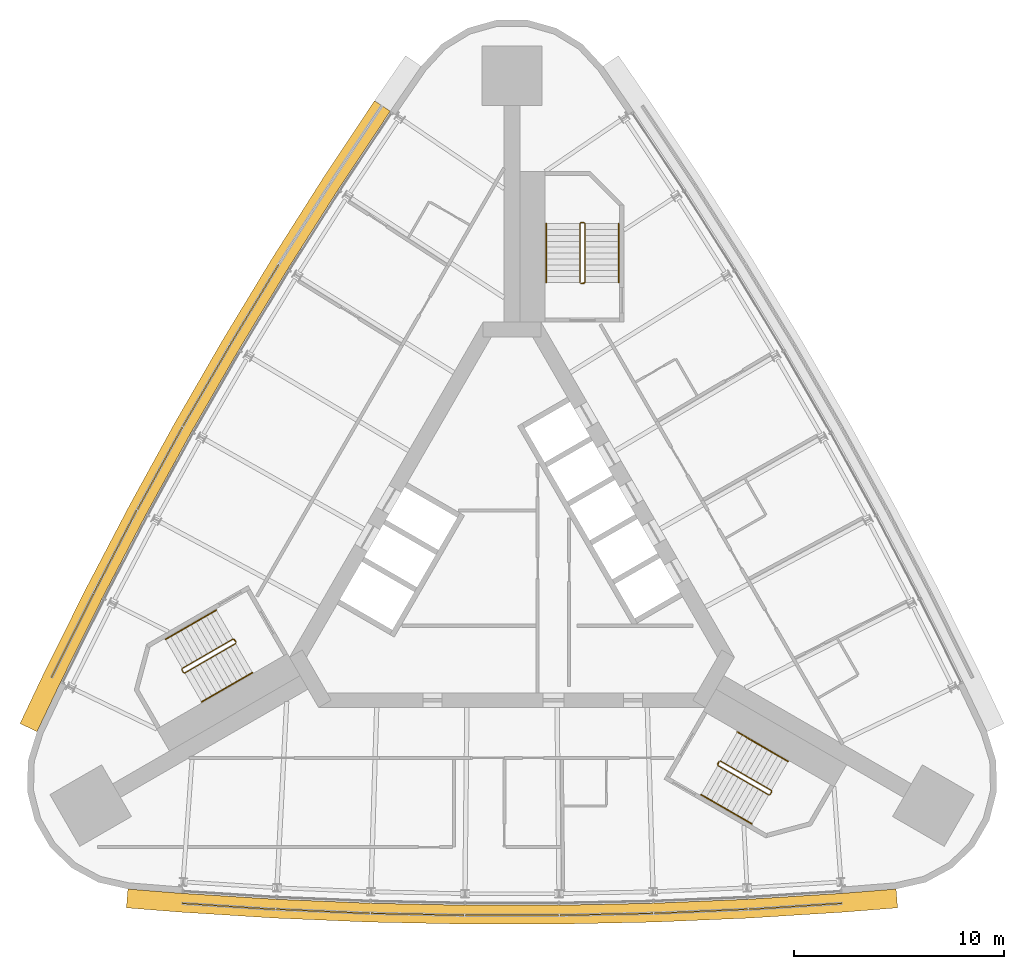
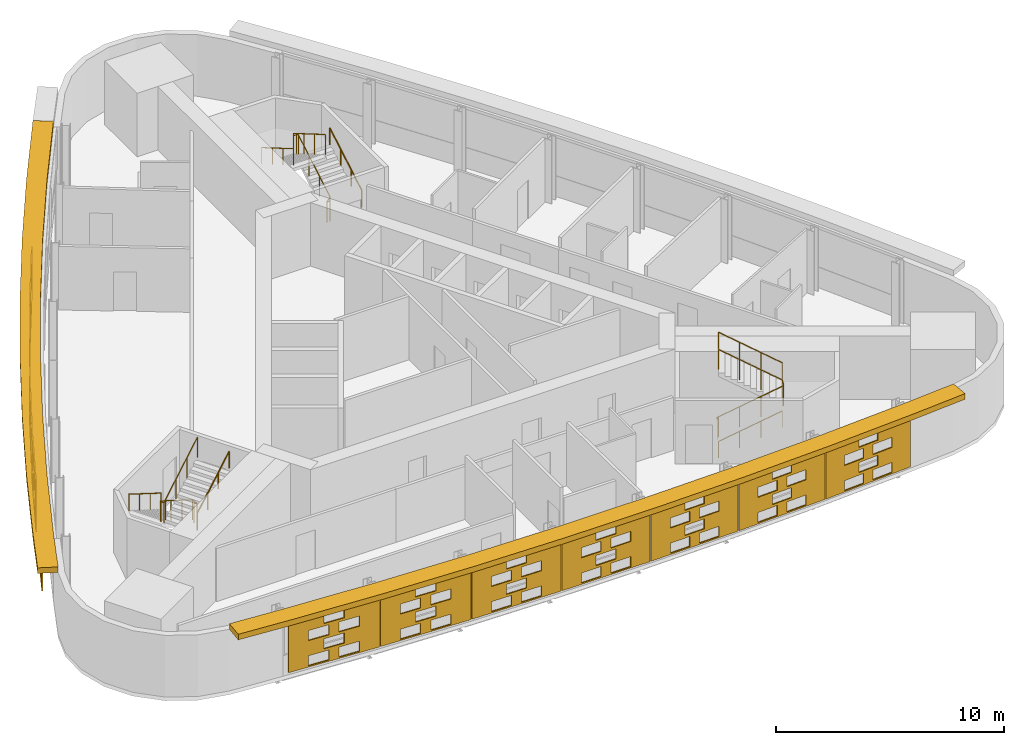
# One storey, part 11 of 12: 14 shading devices, 9 railings.
"""IFC4 building model written with IfcOpenShell, lengths in metres."""

from ifc_helpers import new_model, si_unit, direction, frame, origin, origin_2d, place, context, subcontext, project, spatial, polyline, circle, outline, extrude, material, material_profile, profile_set, type_object, element, save


model = new_model("IFC4")

# Units and contexts
model_context = context("Model", 3, precision=1e-05, world=origin(), true_north=direction((0.0, 1.0)))
body_context = subcontext(model_context, "Body", "Model", "MODEL_VIEW")
ifc_project = project(units=[si_unit("LENGTHUNIT", "METRE"), si_unit("AREAUNIT", "SQUARE_METRE"), si_unit("VOLUMEUNIT", "CUBIC_METRE"), si_unit("PLANEANGLEUNIT", "RADIAN"), si_unit("MASSUNIT", "GRAM", prefix="KILO")], contexts=[model_context])

# Site, building, storey
site_placement = place(None, origin())
site = spatial("IfcSite", under=ifc_project, at=site_placement, CompositionType="ELEMENT")
building_placement = place(site_placement, origin())
building = spatial("IfcBuilding", under=site, at=building_placement, Name="Noor Cloister Tower", CompositionType="ELEMENT")
storey_placement = place(building_placement, frame((0.0, 0.0, 161.699951171875)))
storey = spatial("IfcBuildingStorey", under=building, at=storey_placement, Name="L41", CompositionType="ELEMENT", Elevation=161.699951171875)

# Shading devices
ifc_material_1 = material(Name="Limestone", Category="masonry")
ifc_material_profile = material_profile(ifc_material_1, outline(polyline([(-2.22998046875, -1.35009765625), (2.22998046875, -1.35009765625), (2.22998046875, 1.35009765625), (-2.22998046875, 1.35009765625), (-2.22998046875, -1.35009765625)]), holes=[polyline([(-1.25, -1.282470703125), (-0.25, -1.282470703125), (-0.25, -0.742431640625), (-1.25, -0.742431640625), (-1.25, -1.282470703125)]), polyline([(0.25, -1.282470703125), (1.25, -1.282470703125), (1.25, -0.742431640625), (0.25, -0.742431640625), (0.25, -1.282470703125)]), polyline([(-0.5, -0.607421875), (0.5, -0.607421875), (0.5, -0.0673828125), (-0.5, -0.0673828125), (-0.5, -0.607421875)]), polyline([(-1.25, 0.0673828125), (-0.25, 0.0673828125), (-0.25, 0.607421875), (-1.25, 0.607421875), (-1.25, 0.0673828125)]), polyline([(0.25, 0.0673828125), (1.25, 0.0673828125), (1.25, 0.607421875), (0.25, 0.607421875), (0.25, 0.0673828125)]), polyline([(-0.5, 0.742431640625), (0.5, 0.742431640625), (0.5, 1.282470703125), (-0.5, 1.282470703125), (-0.5, 0.742431640625)])]), Name="Woven screen 30 percent open")
ifc_profile_set = profile_set([ifc_material_profile], Name="Limestone")
shading_device_type_1 = type_object("IfcShadingDeviceType", Name="SCREEN woven limestone 30 percent open", PredefinedType="USERDEFINED", material=ifc_profile_set)
for number, where, z_axis, x_axis, name in (
    (1, (-12.261474609375, 12.28564453125, 1.85009765625), (-0.855690023312, 0.517488728384, 0.0), (-0.517488728384, -0.855690023312, 0.0), "SCREEN L41 3"),
    (2, (-14.556884765625, 8.404296875, 1.85009765625), (-0.86496035152, 0.501840203948, 0.0), (-0.501840203948, -0.86496035152, 0.0), "SCREEN L41 4"),
):
    element("IfcShadingDevice", number, at=place(storey_placement, frame(where, z_axis=z_axis, x_axis=x_axis)), inside=storey, type_object=shading_device_type_1, Name=name, ObjectType="SCREEN", PredefinedType="USERDEFINED", context=body_context, shape_type="SweptSolid", body=[
        extrude(outline(polyline([(-2.22998046875, -1.35009765625), (2.22998046875, -1.35009765625), (2.22998046875, 1.35009765625), (-2.22998046875, 1.35009765625), (-2.22998046875, -1.35009765625)]), holes=[polyline([(-1.25, -1.282470703125), (-0.25, -1.282470703125), (-0.25, -0.742431640625), (-1.25, -0.742431640625), (-1.25, -1.282470703125)]), polyline([(0.25, -1.282470703125), (1.25, -1.282470703125), (1.25, -0.742431640625), (0.25, -0.742431640625), (0.25, -1.282470703125)]), polyline([(-0.5, -0.607421875), (0.5, -0.607421875), (0.5, -0.0673828125), (-0.5, -0.0673828125), (-0.5, -0.607421875)]), polyline([(-1.25, 0.0673828125), (-0.25, 0.0673828125), (-0.25, 0.607421875), (-1.25, 0.607421875), (-1.25, 0.0673828125)]), polyline([(0.25, 0.0673828125), (1.25, 0.0673828125), (1.25, 0.607421875), (0.25, 0.607421875), (0.25, 0.0673828125)]), polyline([(-0.5, 0.742431640625), (0.5, 0.742431640625), (0.5, 1.282470703125), (-0.5, 1.282470703125), (-0.5, 0.742431640625)])]), origin(), (0.0, 0.0, 1.0), 0.059814453125),
    ])
for number, where, z_axis, x_axis, name in (
    (3, (-16.770263671875, 4.47607421875, 1.85009765625), (-0.877584848731, 0.479421352547, 0.0), (-0.479421352547, -0.877584848731, 0.0), "SCREEN L41 5"),
    (4, (-18.901123046875, 0.502197265625, 1.85009765625), (-0.887816162103, 0.460198285861, 0.0), (-0.460198285861, -0.887816162103, 0.0), "SCREEN L41 6"),
    (5, (-20.9482421875, -3.515625, 1.85009765625), (-0.894427191, 0.4472135955, 0.0), (-0.4472135955, -0.894427191, 0.0), "SCREEN L41 7"),
):
    element("IfcShadingDevice", number, at=place(storey_placement, frame(where, z_axis=z_axis, x_axis=x_axis)), inside=storey, type_object=shading_device_type_1, Name=name, ObjectType="SCREEN", PredefinedType="USERDEFINED", context=body_context, shape_type="SweptSolid", body=[
        extrude(outline(polyline([(-2.22998046875, -1.35009765625), (2.22998046875, -1.35009765625), (2.22998046875, 1.35009765625), (-2.22998046875, 1.35009765625), (-2.22998046875, -1.35009765625)]), holes=[polyline([(-1.25, -1.282470703125), (-0.25, -1.282470703125), (-0.25, -0.742431640625), (-1.25, -0.742431640625), (-1.25, -1.282470703125)]), polyline([(0.25, -1.282470703125), (1.25, -1.282470703125), (1.25, -0.742431640625), (0.25, -0.742431640625), (0.25, -1.282470703125)]), polyline([(-0.5, -0.607421875), (0.5, -0.607421875), (0.5, -0.0673828125), (-0.5, -0.0673828125), (-0.5, -0.607421875)]), polyline([(-1.25, 0.0673828125), (-0.25, 0.0673828125), (-0.25, 0.607421875), (-1.25, 0.607421875), (-1.25, 0.0673828125)]), polyline([(0.25, 0.0673828125), (1.25, 0.0673828125), (1.25, 0.607421875), (0.25, 0.607421875), (0.25, 0.0673828125)]), polyline([(-0.5, 0.742431640625), (0.5, 0.742431640625), (0.5, 1.282470703125), (-0.5, 1.282470703125), (-0.5, 0.742431640625)])]), origin(), (0.0, 0.0, 1.0), 0.06005859375),
    ])
shading_device_1_placement = place(storey_placement, frame((-13.5185546875, -16.3837890625, 1.85009765625), z_axis=(-0.064903515062, -0.997891544073, 0.0), x_axis=(0.997891544073, -0.064903515062, 0.0)))
element("IfcShadingDevice", 6, at=shading_device_1_placement, inside=storey, type_object=shading_device_type_1, Name="SCREEN L41 1", ObjectType="SCREEN", PredefinedType="USERDEFINED", context=body_context, shape_type="SweptSolid", body=[
    extrude(outline(polyline([(-2.22998046875, -1.35009765625), (2.22998046875, -1.35009765625), (2.22998046875, 1.35009765625), (-2.22998046875, 1.35009765625), (-2.22998046875, -1.35009765625)]), holes=[polyline([(-1.25, -1.282470703125), (-0.25, -1.282470703125), (-0.25, -0.742431640625), (-1.25, -0.742431640625), (-1.25, -1.282470703125)]), polyline([(0.25, -1.282470703125), (1.25, -1.282470703125), (1.25, -0.742431640625), (0.25, -0.742431640625), (0.25, -1.282470703125)]), polyline([(-0.5, -0.607421875), (0.5, -0.607421875), (0.5, -0.0673828125), (-0.5, -0.0673828125), (-0.5, -0.607421875)]), polyline([(-1.25, 0.0673828125), (-0.25, 0.0673828125), (-0.25, 0.607421875), (-1.25, 0.607421875), (-1.25, 0.0673828125)]), polyline([(0.25, 0.0673828125), (1.25, 0.0673828125), (1.25, 0.607421875), (0.25, 0.607421875), (0.25, 0.0673828125)]), polyline([(-0.5, 0.742431640625), (0.5, 0.742431640625), (0.5, 1.282470703125), (-0.5, 1.282470703125), (-0.5, 0.742431640625)])]), origin(), (0.0, 0.0, 1.0), 0.060302734375),
])
for number, where, z_axis, x_axis, name in (
    (7, (-9.015625, -16.619873046875, 1.85009765625), (-0.044670810456, -0.999001761106, 0.0), (0.999001761106, -0.044670810456, 0.0), "SCREEN L41 2"),
    (8, (-4.5087890625, -16.761474609375, 1.85009765625), (-0.020321006241, -0.999793507033, 0.0), (0.999793507033, -0.020321006241, 0.0), "SCREEN L41 3"),
):
    element("IfcShadingDevice", number, at=place(storey_placement, frame(where, z_axis=z_axis, x_axis=x_axis)), inside=storey, type_object=shading_device_type_1, Name=name, ObjectType="SCREEN", PredefinedType="USERDEFINED", context=body_context, shape_type="SweptSolid", body=[
        extrude(outline(polyline([(-2.22998046875, -1.35009765625), (2.22998046875, -1.35009765625), (2.22998046875, 1.35009765625), (-2.22998046875, 1.35009765625), (-2.22998046875, -1.35009765625)]), holes=[polyline([(-1.25, -1.282470703125), (-0.25, -1.282470703125), (-0.25, -0.742431640625), (-1.25, -0.742431640625), (-1.25, -1.282470703125)]), polyline([(0.25, -1.282470703125), (1.25, -1.282470703125), (1.25, -0.742431640625), (0.25, -0.742431640625), (0.25, -1.282470703125)]), polyline([(-0.5, -0.607421875), (0.5, -0.607421875), (0.5, -0.0673828125), (-0.5, -0.0673828125), (-0.5, -0.607421875)]), polyline([(-1.25, 0.0673828125), (-0.25, 0.0673828125), (-0.25, 0.607421875), (-1.25, 0.607421875), (-1.25, 0.0673828125)]), polyline([(0.25, 0.0673828125), (1.25, 0.0673828125), (1.25, 0.607421875), (0.25, 0.607421875), (0.25, 0.0673828125)]), polyline([(-0.5, 0.742431640625), (0.5, 0.742431640625), (0.5, 1.282470703125), (-0.5, 1.282470703125), (-0.5, 0.742431640625)])]), origin(), (0.0, 0.0, 1.0), 0.06005859375),
    ])
shading_device_2_placement = place(storey_placement, frame((0.0, -16.808837890625, 1.85009765625), z_axis=(0.0, -1.0, 0.0), x_axis=(1.0, 0.0, 0.0)))
element("IfcShadingDevice", 9, at=shading_device_2_placement, inside=storey, type_object=shading_device_type_1, Name="SCREEN L41 4", ObjectType="SCREEN", PredefinedType="USERDEFINED", context=body_context, shape_type="SweptSolid", body=[
    extrude(outline(polyline([(-2.22998046875, -1.35009765625), (2.22998046875, -1.35009765625), (2.22998046875, 1.35009765625), (-2.22998046875, 1.35009765625), (-2.22998046875, -1.35009765625)]), holes=[polyline([(-1.25, -1.282470703125), (-0.25, -1.282470703125), (-0.25, -0.742431640625), (-1.25, -0.742431640625), (-1.25, -1.282470703125)]), polyline([(0.25, -1.282470703125), (1.25, -1.282470703125), (1.25, -0.742431640625), (0.25, -0.742431640625), (0.25, -1.282470703125)]), polyline([(-0.5, -0.607421875), (0.5, -0.607421875), (0.5, -0.0673828125), (-0.5, -0.0673828125), (-0.5, -0.607421875)]), polyline([(-1.25, 0.0673828125), (-0.25, 0.0673828125), (-0.25, 0.607421875), (-1.25, 0.607421875), (-1.25, 0.0673828125)]), polyline([(0.25, 0.0673828125), (1.25, 0.0673828125), (1.25, 0.607421875), (0.25, 0.607421875), (0.25, 0.0673828125)]), polyline([(-0.5, 0.742431640625), (0.5, 0.742431640625), (0.5, 1.282470703125), (-0.5, 1.282470703125), (-0.5, 0.742431640625)])]), origin(), (0.0, 0.0, 1.0), 0.059814453125),
])
for number, where, z_axis, x_axis, name in (
    (10, (4.5087890625, -16.761474609375, 1.85009765625), (0.020321006241, -0.999793507033, 0.0), (0.999793507033, 0.020321006241, 0.0), "SCREEN L41 5"),
    (11, (9.015625, -16.619873046875, 1.85009765625), (0.044670810456, -0.999001761106, 0.0), (0.999001761106, 0.044670810456, 0.0), "SCREEN L41 6"),
):
    element("IfcShadingDevice", number, at=place(storey_placement, frame(where, z_axis=z_axis, x_axis=x_axis)), inside=storey, type_object=shading_device_type_1, Name=name, ObjectType="SCREEN", PredefinedType="USERDEFINED", context=body_context, shape_type="SweptSolid", body=[
        extrude(outline(polyline([(-2.22998046875, -1.35009765625), (2.22998046875, -1.35009765625), (2.22998046875, 1.35009765625), (-2.22998046875, 1.35009765625), (-2.22998046875, -1.35009765625)]), holes=[polyline([(-1.25, -1.282470703125), (-0.25, -1.282470703125), (-0.25, -0.742431640625), (-1.25, -0.742431640625), (-1.25, -1.282470703125)]), polyline([(0.25, -1.282470703125), (1.25, -1.282470703125), (1.25, -0.742431640625), (0.25, -0.742431640625), (0.25, -1.282470703125)]), polyline([(-0.5, -0.607421875), (0.5, -0.607421875), (0.5, -0.0673828125), (-0.5, -0.0673828125), (-0.5, -0.607421875)]), polyline([(-1.25, 0.0673828125), (-0.25, 0.0673828125), (-0.25, 0.607421875), (-1.25, 0.607421875), (-1.25, 0.0673828125)]), polyline([(0.25, 0.0673828125), (1.25, 0.0673828125), (1.25, 0.607421875), (0.25, 0.607421875), (0.25, 0.0673828125)]), polyline([(-0.5, 0.742431640625), (0.5, 0.742431640625), (0.5, 1.282470703125), (-0.5, 1.282470703125), (-0.5, 0.742431640625)])]), origin(), (0.0, 0.0, 1.0), 0.06005859375),
    ])
shading_device_3_placement = place(storey_placement, frame((13.5185546875, -16.3837890625, 1.85009765625), z_axis=(0.064903515062, -0.997891544073, 0.0), x_axis=(0.997891544073, 0.064903515062, 0.0)))
element("IfcShadingDevice", 12, at=shading_device_3_placement, inside=storey, type_object=shading_device_type_1, Name="SCREEN L41 7", ObjectType="SCREEN", PredefinedType="USERDEFINED", context=body_context, shape_type="SweptSolid", body=[
    extrude(outline(polyline([(-2.22998046875, -1.35009765625), (2.22998046875, -1.35009765625), (2.22998046875, 1.35009765625), (-2.22998046875, 1.35009765625), (-2.22998046875, -1.35009765625)]), holes=[polyline([(-1.25, -1.282470703125), (-0.25, -1.282470703125), (-0.25, -0.742431640625), (-1.25, -0.742431640625), (-1.25, -1.282470703125)]), polyline([(0.25, -1.282470703125), (1.25, -1.282470703125), (1.25, -0.742431640625), (0.25, -0.742431640625), (0.25, -1.282470703125)]), polyline([(-0.5, -0.607421875), (0.5, -0.607421875), (0.5, -0.0673828125), (-0.5, -0.0673828125), (-0.5, -0.607421875)]), polyline([(-1.25, 0.0673828125), (-0.25, 0.0673828125), (-0.25, 0.607421875), (-1.25, 0.607421875), (-1.25, 0.0673828125)]), polyline([(0.25, 0.0673828125), (1.25, 0.0673828125), (1.25, 0.607421875), (0.25, 0.607421875), (0.25, 0.0673828125)]), polyline([(-0.5, 0.742431640625), (0.5, 0.742431640625), (0.5, 1.282470703125), (-0.5, 1.282470703125), (-0.5, 0.742431640625)])]), origin(), (0.0, 0.0, 1.0), 0.060302734375),
])
ifc_material_2 = material(Name="Limestone", Category="masonry")
shading_device_type_2 = type_object("IfcShadingDeviceType", Name="SUNSHADE limestone band 900", PredefinedType="USERDEFINED", material=ifc_material_2)
shading_device_4_placement = place(storey_placement, frame((0.0, 0.0, 3.300048828125)))
element("IfcShadingDevice", 13, at=shading_device_4_placement, inside=storey, type_object=shading_device_type_2, Name="SUNSHADE L41 1", ObjectType="SUNSHADE", PredefinedType="USERDEFINED", context=body_context, shape_type="SweptSolid", body=[
    extrude(outline(polyline([(-6.559326171875, 22.0224609375), (-9.0546875, 18.2666015625), (-11.47607421875, 14.451171875), (-13.81689453125, 10.5859375), (-16.076171875, 6.672607421875), (-18.253173828125, 2.712890625), (-20.3466796875, -1.291748046875), (-22.35498046875, -5.33740234375), (-23.47509765625, -7.69091796875), (-22.66259765625, -8.077880859375), (-21.54541015625, -5.73095703125), (-19.544677734375, -1.7001953125), (-17.4599609375, 2.28759765625), (-15.2919921875, 6.23095703125), (-13.0419921875, 10.1279296875), (-10.7109375, 13.97705078125), (-8.2998046875, 17.7763671875), (-5.8095703125, 21.5244140625), (-6.559326171875, 22.0224609375)])), origin(), (0.0, 0.0, 1.0), 0.300048828125),
])
shading_device_5_placement = place(storey_placement, frame((0.0, 0.0, 3.300048828125)))
element("IfcShadingDevice", 14, at=shading_device_5_placement, inside=storey, type_object=shading_device_type_2, Name="SUNSHADE L41 2", ObjectType="SUNSHADE", PredefinedType="USERDEFINED", context=body_context, shape_type="SweptSolid", body=[
    extrude(outline(polyline([(-18.398193359375, -16.484619140625), (-15.7998046875, -16.691162109375), (-11.2919921875, -16.974853515625), (-6.777099609375, -17.1640625), (-2.25927734375, -17.2587890625), (2.25927734375, -17.2587890625), (6.777099609375, -17.1640625), (11.2919921875, -16.974853515625), (15.7998046875, -16.691162109375), (18.398193359375, -16.484619140625), (18.326904296875, -15.58740234375), (15.73583984375, -15.79345703125), (11.244873046875, -16.075927734375), (6.748779296875, -16.264404296875), (2.25, -16.358642578125), (-2.25, -16.358642578125), (-6.748779296875, -16.264404296875), (-11.244873046875, -16.075927734375), (-15.73583984375, -15.79345703125), (-18.326904296875, -15.58740234375), (-18.398193359375, -16.484619140625)])), origin(), (0.0, 0.0, 1.0), 0.300048828125),
])

# Railings
ifc_material_3 = material(Name="Stainless steel", Category="steel")
railing_type_1 = type_object("IfcRailingType", Name="Stair guard 1100", PredefinedType="GUARDRAIL", material=ifc_material_3)
railing_1_placement = place(storey_placement, frame((3.435546875, 13.306396484375, 0.0)))
element("IfcRailing", 15, at=railing_1_placement, inside=storey, type_object=railing_type_1, Name="Stair guard ST1 L41", PredefinedType="GUARDRAIL", context=body_context, shape_type="SweptSolid", body=[
    extrude(circle(Radius=0.02392578125, at=origin_2d()), frame((0.0, 0.0, 1.076171875), z_axis=(-1.0, 0.0, 0.0), x_axis=(0.0, -1.0, 0.0)), (0.0, 0.0, 1.0), 0.14990234375),
    extrude(circle(Radius=0.02392578125, at=origin_2d()), frame((-0.14990234375, 0.0, 1.076171875), z_axis=(0.759870394187, 0.190199549216, 0.621627795), x_axis=(-0.242814311512, 0.970072785993, 0.0)), (0.0, 0.0, 1.0), 0.26318359375),
    extrude(circle(Radius=0.02392578125, at=origin_2d()), frame((0.050048828125, 0.050048828125, 1.23974609375), z_axis=(0.0, 0.863360870873, 0.504586966384), x_axis=(-1.0, 0.0, 0.0)), (0.0, 0.0, 1.0), 3.2431640625),
    extrude(circle(Radius=0.02392578125, at=origin_2d()), frame((0.050048828125, 2.85009765625, 2.8759765625), z_axis=(-0.708833529934, 0.705375805398, 0.0), x_axis=(-0.705375805398, -0.708833529934, 0.0)), (0.0, 0.0, 1.0), 0.070556640625),
    extrude(circle(Radius=0.02392578125, at=origin_2d()), frame((0.0, 2.89990234375, 2.8759765625), z_axis=(-1.0, 0.0, 0.0), x_axis=(0.0, -1.0, 0.0)), (0.0, 0.0, 1.0), 0.14990234375),
    extrude(circle(Radius=0.02392578125, at=origin_2d()), frame((-0.14990234375, 2.89990234375, 2.8759765625), z_axis=(-0.280916556609, -0.279546231943, 0.91811752648), x_axis=(0.705375805398, -0.708833529934, 0.0)), (0.0, 0.0, 1.0), 0.17822265625),
    extrude(circle(Radius=0.02392578125, at=origin_2d()), frame((-0.199951171875, 2.85009765625, 3.03955078125), z_axis=(0.0, -0.863360870873, 0.504586966384), x_axis=(1.0, 0.0, 0.0)), (0.0, 0.0, 1.0), 3.2431640625),
    extrude(circle(Radius=0.02099609375, at=origin_2d()), origin(), (0.0, 0.0, 1.0), 1.052001953125),
    extrude(circle(Radius=0.02099609375, at=origin_2d()), frame((-0.14990234375, 0.0, 0.0)), (0.0, 0.0, 1.0), 1.052001953125),
    extrude(circle(Radius=0.02099609375, at=origin_2d()), frame((0.050048828125, 0.050048828125, 0.16357421875)), (0.0, 0.0, 1.0), 1.052001953125),
    extrude(circle(Radius=0.02099609375, at=origin_2d()), frame((0.050048828125, 0.9833984375, 0.708984375)), (0.0, 0.0, 1.0), 1.052001953125),
    extrude(circle(Radius=0.02099609375, at=origin_2d()), frame((0.050048828125, 1.916748046875, 1.254638671875)), (0.0, 0.0, 1.0), 1.052001953125),
    extrude(circle(Radius=0.02099609375, at=origin_2d()), frame((0.050048828125, 2.85009765625, 1.800048828125)), (0.0, 0.0, 1.0), 1.052001953125),
    extrude(circle(Radius=0.02099609375, at=origin_2d()), frame((0.0, 2.89990234375, 1.800048828125)), (0.0, 0.0, 1.0), 1.052001953125),
    extrude(circle(Radius=0.02099609375, at=origin_2d()), frame((-0.14990234375, 2.89990234375, 1.800048828125)), (0.0, 0.0, 1.0), 1.052001953125),
    extrude(circle(Radius=0.02099609375, at=origin_2d()), frame((-0.199951171875, 2.85009765625, 1.963623046875)), (0.0, 0.0, 1.0), 1.052001953125),
    extrude(circle(Radius=0.02099609375, at=origin_2d()), frame((-0.199951171875, 1.916748046875, 2.509033203125)), (0.0, 0.0, 1.0), 1.052001953125),
    extrude(circle(Radius=0.02099609375, at=origin_2d()), frame((-0.199951171875, 0.9833984375, 3.0546875)), (0.0, 0.0, 1.0), 1.052001953125),
    extrude(circle(Radius=0.02099609375, at=origin_2d()), frame((-0.199951171875, 0.050048828125, 3.60009765625)), (0.0, 0.0, 1.0), 1.052001953125),
])
railing_2_placement = place(storey_placement, frame((-13.241455078125, -3.677734375, 0.0)))
element("IfcRailing", 16, at=railing_2_placement, inside=storey, type_object=railing_type_1, Name="Stair guard ST2 L41", PredefinedType="GUARDRAIL", context=body_context, shape_type="SweptSolid", body=[
    extrude(circle(Radius=0.02392578125, at=origin_2d()), frame((0.0, 0.0, 1.076171875), z_axis=(0.499112439033, -0.866537231285, 0.0), x_axis=(0.866537231285, 0.499112439033, 0.0)), (0.0, 0.0, 1.0), 0.150146484375),
    extrude(circle(Radius=0.02392578125, at=origin_2d()), frame((0.074951171875, -0.130126953125, 1.076171875), z_axis=(-0.544565797804, 0.563119998752, 0.621565731736), x_axis=(-0.718850276695, -0.695164929852, 0.0)), (0.0, 0.0, 1.0), 0.26318359375),
    extrude(circle(Radius=0.02392578125, at=origin_2d()), frame((-0.068359375, 0.01806640625, 1.23974609375), z_axis=(-0.747689811644, -0.431660630283, 0.504607813879), x_axis=(0.49998411664, -0.866034573852, 0.0)), (0.0, 0.0, 1.0), 3.2431640625),
    extrude(circle(Radius=0.02392578125, at=origin_2d()), frame((-2.4931640625, -1.3818359375, 2.8759765625), z_axis=(-0.258736085224, -0.965948051503, 0.0), x_axis=(0.965948051503, -0.258736085224, 0.0)), (0.0, 0.0, 1.0), 0.07080078125),
    extrude(circle(Radius=0.02392578125, at=origin_2d()), frame((-2.511474609375, -1.4501953125, 2.8759765625), z_axis=(0.499816412211, -0.866131372301, 0.0), x_axis=(0.866131372301, 0.499816412211, 0.0)), (0.0, 0.0, 1.0), 0.14990234375),
    extrude(circle(Radius=0.02392578125, at=origin_2d()), frame((-2.4365234375, -1.580078125, 2.8759765625), z_axis=(0.383552647116, -0.102737316192, 0.917786691313), x_axis=(0.258736085224, 0.965948051503, 0.0)), (0.0, 0.0, 1.0), 0.17822265625),
    extrude(circle(Radius=0.02392578125, at=origin_2d()), frame((-2.3681640625, -1.598388671875, 3.03955078125), z_axis=(0.747665513933, 0.431721881032, 0.504591415616), x_axis=(-0.500049511043, 0.865996816683, 0.0)), (0.0, 0.0, 1.0), 3.2431640625),
    extrude(circle(Radius=0.02099609375, at=origin_2d()), origin(), (0.0, 0.0, 1.0), 1.052001953125),
    extrude(circle(Radius=0.02099609375, at=origin_2d()), frame((0.074951171875, -0.130126953125, 0.0)), (0.0, 0.0, 1.0), 1.052001953125),
    extrude(circle(Radius=0.02099609375, at=origin_2d()), frame((-0.068359375, 0.01806640625, 0.16357421875)), (0.0, 0.0, 1.0), 1.052001953125),
    extrude(circle(Radius=0.02099609375, at=origin_2d()), frame((-0.876708984375, -0.448486328125, 0.708984375)), (0.0, 0.0, 1.0), 1.052001953125),
    extrude(circle(Radius=0.02099609375, at=origin_2d()), frame((-1.684814453125, -0.915283203125, 1.254638671875)), (0.0, 0.0, 1.0), 1.052001953125),
    extrude(circle(Radius=0.02099609375, at=origin_2d()), frame((-2.4931640625, -1.3818359375, 1.800048828125)), (0.0, 0.0, 1.0), 1.052001953125),
    extrude(circle(Radius=0.02099609375, at=origin_2d()), frame((-2.511474609375, -1.4501953125, 1.800048828125)), (0.0, 0.0, 1.0), 1.052001953125),
    extrude(circle(Radius=0.02099609375, at=origin_2d()), frame((-2.4365234375, -1.580078125, 1.800048828125)), (0.0, 0.0, 1.0), 1.052001953125),
    extrude(circle(Radius=0.02099609375, at=origin_2d()), frame((-2.3681640625, -1.598388671875, 1.963623046875)), (0.0, 0.0, 1.0), 1.052001953125),
    extrude(circle(Radius=0.02099609375, at=origin_2d()), frame((-1.559814453125, -1.131591796875, 2.509033203125)), (0.0, 0.0, 1.0), 1.052001953125),
    extrude(circle(Radius=0.02099609375, at=origin_2d()), frame((-0.751708984375, -0.6650390625, 3.0546875)), (0.0, 0.0, 1.0), 1.052001953125),
    extrude(circle(Radius=0.02099609375, at=origin_2d()), frame((0.056640625, -0.1982421875, 3.60009765625)), (0.0, 0.0, 1.0), 1.052001953125),
])
railing_3_placement = place(storey_placement, frame((9.805908203125, -9.628662109375, 0.0)))
element("IfcRailing", 17, at=railing_3_placement, inside=storey, type_object=railing_type_1, Name="Stair guard ST3 L41", PredefinedType="GUARDRAIL", context=body_context, shape_type="SweptSolid", body=[
    extrude(circle(Radius=0.02392578125, at=origin_2d()), frame((0.0, 0.0, 1.076171875), z_axis=(0.499112439033, 0.866537231285, 0.0), x_axis=(-0.866537231285, 0.499112439033, 0.0)), (0.0, 0.0, 1.0), 0.150146484375),
    extrude(circle(Radius=0.02392578125, at=origin_2d()), frame((0.074951171875, 0.130126953125, 1.076171875), z_axis=(-0.215214839654, -0.753251938789, 0.621525614518), x_axis=(0.961523947641, -0.274721127897, 0.0)), (0.0, 0.0, 1.0), 0.26318359375),
    extrude(circle(Radius=0.02392578125, at=origin_2d()), frame((0.018310546875, -0.068115234375, 1.23974609375), z_axis=(0.747665513933, -0.431721881032, 0.504591415616), x_axis=(0.500049511043, 0.865996816683, 0.0)), (0.0, 0.0, 1.0), 3.2431640625),
    extrude(circle(Radius=0.02392578125, at=origin_2d()), frame((2.443115234375, -1.46826171875, 2.8759765625), z_axis=(0.965948051503, 0.258736085224, 0.0), x_axis=(-0.258736085224, 0.965948051503, 0.0)), (0.0, 0.0, 1.0), 0.07080078125),
    extrude(circle(Radius=0.02392578125, at=origin_2d()), frame((2.511474609375, -1.449951171875, 2.8759765625), z_axis=(0.499816412211, 0.866131372301, 0.0), x_axis=(-0.866131372301, 0.499816412211, 0.0)), (0.0, 0.0, 1.0), 0.14990234375),
    extrude(circle(Radius=0.02392578125, at=origin_2d()), frame((2.58642578125, -1.320068359375, 2.8759765625), z_axis=(-0.102737316192, 0.383552647116, 0.917786691313), x_axis=(-0.965948051503, -0.258736085224, 0.0)), (0.0, 0.0, 1.0), 0.17822265625),
    extrude(circle(Radius=0.02392578125, at=origin_2d()), frame((2.568115234375, -1.251708984375, 3.03955078125), z_axis=(-0.747689811644, 0.431660630283, 0.504607813879), x_axis=(-0.49998411664, -0.866034573852, 0.0)), (0.0, 0.0, 1.0), 3.2431640625),
    extrude(circle(Radius=0.02099609375, at=origin_2d()), origin(), (0.0, 0.0, 1.0), 1.052001953125),
    extrude(circle(Radius=0.02099609375, at=origin_2d()), frame((0.074951171875, 0.130126953125, 0.0)), (0.0, 0.0, 1.0), 1.052001953125),
    extrude(circle(Radius=0.02099609375, at=origin_2d()), frame((0.018310546875, -0.068115234375, 0.16357421875)), (0.0, 0.0, 1.0), 1.052001953125),
    extrude(circle(Radius=0.02099609375, at=origin_2d()), frame((0.82666015625, -0.534912109375, 0.708984375)), (0.0, 0.0, 1.0), 1.052001953125),
    extrude(circle(Radius=0.02099609375, at=origin_2d()), frame((1.634765625, -1.00146484375, 1.254638671875)), (0.0, 0.0, 1.0), 1.052001953125),
    extrude(circle(Radius=0.02099609375, at=origin_2d()), frame((2.443115234375, -1.46826171875, 1.800048828125)), (0.0, 0.0, 1.0), 1.052001953125),
    extrude(circle(Radius=0.02099609375, at=origin_2d()), frame((2.511474609375, -1.449951171875, 1.800048828125)), (0.0, 0.0, 1.0), 1.052001953125),
    extrude(circle(Radius=0.02099609375, at=origin_2d()), frame((2.58642578125, -1.320068359375, 1.800048828125)), (0.0, 0.0, 1.0), 1.052001953125),
    extrude(circle(Radius=0.02099609375, at=origin_2d()), frame((2.568115234375, -1.251708984375, 1.963623046875)), (0.0, 0.0, 1.0), 1.052001953125),
    extrude(circle(Radius=0.02099609375, at=origin_2d()), frame((1.759765625, -0.78515625, 2.509033203125)), (0.0, 0.0, 1.0), 1.052001953125),
    extrude(circle(Radius=0.02099609375, at=origin_2d()), frame((0.95166015625, -0.318359375, 3.0546875)), (0.0, 0.0, 1.0), 1.052001953125),
    extrude(circle(Radius=0.02099609375, at=origin_2d()), frame((0.143310546875, 0.148193359375, 3.60009765625)), (0.0, 0.0, 1.0), 1.052001953125),
])
ifc_material_4 = material(Name="Stainless steel", Category="steel")
railing_type_2 = type_object("IfcRailingType", Name="Stair handrail 900", PredefinedType="HANDRAIL", material=ifc_material_4)
railing_4_placement = place(storey_placement, frame((5.085693359375, 13.3564453125, 0.16357421875)))
element("IfcRailing", 18, at=railing_4_placement, inside=storey, type_object=railing_type_2, Name="Stair handrail ST1 L41 1", PredefinedType="HANDRAIL", context=body_context, shape_type="SweptSolid", body=[
    extrude(circle(Radius=0.02392578125, at=origin_2d()), frame((0.0, 0.0, 0.8759765625), z_axis=(0.0, 0.863360870873, 0.504586966384), x_axis=(-1.0, 0.0, 0.0)), (0.0, 0.0, 1.0), 3.2431640625),
    extrude(circle(Radius=0.02099609375, at=origin_2d()), origin(), (0.0, 0.0, 1.0), 0.851806640625),
    extrude(circle(Radius=0.02099609375, at=origin_2d()), frame((0.0, 0.933349609375, 0.54541015625)), (0.0, 0.0, 1.0), 0.851806640625),
    extrude(circle(Radius=0.02099609375, at=origin_2d()), frame((0.0, 1.86669921875, 1.091064453125)), (0.0, 0.0, 1.0), 0.851806640625),
    extrude(circle(Radius=0.02099609375, at=origin_2d()), frame((0.0, 2.800048828125, 1.636474609375)), (0.0, 0.0, 1.0), 0.851806640625),
])
railing_5_placement = place(storey_placement, frame((1.6357421875, 16.156494140625, 1.963623046875)))
element("IfcRailing", 19, at=railing_5_placement, inside=storey, type_object=railing_type_2, Name="Stair handrail ST1 L41 2", PredefinedType="HANDRAIL", context=body_context, shape_type="SweptSolid", body=[
    extrude(circle(Radius=0.02392578125, at=origin_2d()), frame((0.0, 0.0, 0.8759765625), z_axis=(0.0, -0.863360870873, 0.504586966384), x_axis=(1.0, 0.0, 0.0)), (0.0, 0.0, 1.0), 3.2431640625),
    extrude(circle(Radius=0.02099609375, at=origin_2d()), origin(), (0.0, 0.0, 1.0), 0.851806640625),
    extrude(circle(Radius=0.02099609375, at=origin_2d()), frame((0.0, -0.933349609375, 0.54541015625)), (0.0, 0.0, 1.0), 0.851806640625),
    extrude(circle(Radius=0.02099609375, at=origin_2d()), frame((0.0, -1.86669921875, 1.091064453125)), (0.0, 0.0, 1.0), 0.851806640625),
    extrude(circle(Radius=0.02099609375, at=origin_2d()), frame((0.0, -2.800048828125, 1.636474609375)), (0.0, 0.0, 1.0), 0.851806640625),
])
railing_6_placement = place(storey_placement, frame((-14.10986328125, -2.27392578125, 0.16357421875)))
element("IfcRailing", 20, at=railing_6_placement, inside=storey, type_object=railing_type_2, Name="Stair handrail ST2 L41 1", PredefinedType="HANDRAIL", context=body_context, shape_type="SweptSolid", body=[
    extrude(circle(Radius=0.02392578125, at=origin_2d()), frame((0.0, 0.0, 0.8759765625), z_axis=(-0.747689811644, -0.431660630283, 0.504607813879), x_axis=(0.49998411664, -0.866034573852, 0.0)), (0.0, 0.0, 1.0), 3.2431640625),
    extrude(circle(Radius=0.02099609375, at=origin_2d()), origin(), (0.0, 0.0, 1.0), 0.851806640625),
    extrude(circle(Radius=0.02099609375, at=origin_2d()), frame((-0.808349609375, -0.466552734375, 0.54541015625)), (0.0, 0.0, 1.0), 0.851806640625),
    extrude(circle(Radius=0.02099609375, at=origin_2d()), frame((-1.616455078125, -0.933349609375, 1.091064453125)), (0.0, 0.0, 1.0), 0.851806640625),
    extrude(circle(Radius=0.02099609375, at=origin_2d()), frame((-2.4248046875, -1.39990234375, 1.636474609375)), (0.0, 0.0, 1.0), 0.851806640625),
])
railing_7_placement = place(storey_placement, frame((-14.8095703125, -6.66162109375, 1.963623046875)))
element("IfcRailing", 21, at=railing_7_placement, inside=storey, type_object=railing_type_2, Name="Stair handrail ST2 L41 2", PredefinedType="HANDRAIL", context=body_context, shape_type="SweptSolid", body=[
    extrude(circle(Radius=0.02392578125, at=origin_2d()), frame((0.0, 0.0, 0.8759765625), z_axis=(0.747689811644, 0.431660630283, 0.504607813879), x_axis=(-0.49998411664, 0.866034573852, 0.0)), (0.0, 0.0, 1.0), 3.2431640625),
    extrude(circle(Radius=0.02099609375, at=origin_2d()), origin(), (0.0, 0.0, 1.0), 0.851806640625),
    extrude(circle(Radius=0.02099609375, at=origin_2d()), frame((0.808349609375, 0.466552734375, 0.54541015625)), (0.0, 0.0, 1.0), 0.851806640625),
    extrude(circle(Radius=0.02099609375, at=origin_2d()), frame((1.616455078125, 0.933349609375, 1.091064453125)), (0.0, 0.0, 1.0), 0.851806640625),
    extrude(circle(Radius=0.02099609375, at=origin_2d()), frame((2.4248046875, 1.39990234375, 1.636474609375)), (0.0, 0.0, 1.0), 0.851806640625),
])
railing_8_placement = place(storey_placement, frame((9.024169921875, -11.08251953125, 0.16357421875)))
element("IfcRailing", 22, at=railing_8_placement, inside=storey, type_object=railing_type_2, Name="Stair handrail ST3 L41 1", PredefinedType="HANDRAIL", context=body_context, shape_type="SweptSolid", body=[
    extrude(circle(Radius=0.02392578125, at=origin_2d()), frame((0.0, 0.0, 0.8759765625), z_axis=(0.747689811644, -0.431660630283, 0.504607813879), x_axis=(0.49998411664, 0.866034573852, 0.0)), (0.0, 0.0, 1.0), 3.2431640625),
    extrude(circle(Radius=0.02099609375, at=origin_2d()), origin(), (0.0, 0.0, 1.0), 0.851806640625),
    extrude(circle(Radius=0.02099609375, at=origin_2d()), frame((0.808349609375, -0.466552734375, 0.54541015625)), (0.0, 0.0, 1.0), 0.851806640625),
    extrude(circle(Radius=0.02099609375, at=origin_2d()), frame((1.616455078125, -0.933349609375, 1.091064453125)), (0.0, 0.0, 1.0), 0.851806640625),
    extrude(circle(Radius=0.02099609375, at=origin_2d()), frame((2.4248046875, -1.39990234375, 1.636474609375)), (0.0, 0.0, 1.0), 0.851806640625),
])
railing_9_placement = place(storey_placement, frame((13.174072265625, -9.49462890625, 1.963623046875)))
element("IfcRailing", 23, at=railing_9_placement, inside=storey, type_object=railing_type_2, Name="Stair handrail ST3 L41 2", PredefinedType="HANDRAIL", context=body_context, shape_type="SweptSolid", body=[
    extrude(circle(Radius=0.02392578125, at=origin_2d()), frame((0.0, 0.0, 0.8759765625), z_axis=(-0.747689811644, 0.431660630283, 0.504607813879), x_axis=(-0.49998411664, -0.866034573852, 0.0)), (0.0, 0.0, 1.0), 3.2431640625),
    extrude(circle(Radius=0.02099609375, at=origin_2d()), origin(), (0.0, 0.0, 1.0), 0.851806640625),
    extrude(circle(Radius=0.02099609375, at=origin_2d()), frame((-0.808349609375, 0.466552734375, 0.54541015625)), (0.0, 0.0, 1.0), 0.851806640625),
    extrude(circle(Radius=0.02099609375, at=origin_2d()), frame((-1.616455078125, 0.933349609375, 1.091064453125)), (0.0, 0.0, 1.0), 0.851806640625),
    extrude(circle(Radius=0.02099609375, at=origin_2d()), frame((-2.4248046875, 1.39990234375, 1.636474609375)), (0.0, 0.0, 1.0), 0.851806640625),
])

save(model, "model.ifc")
